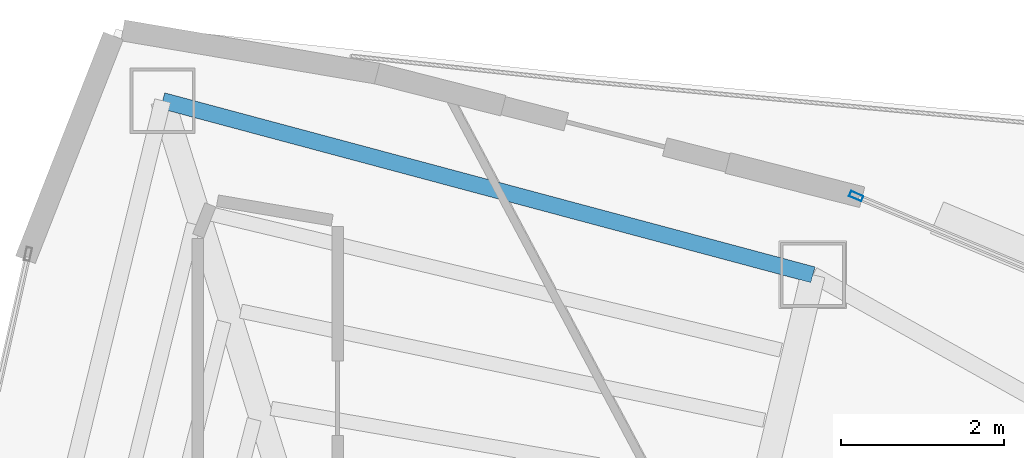
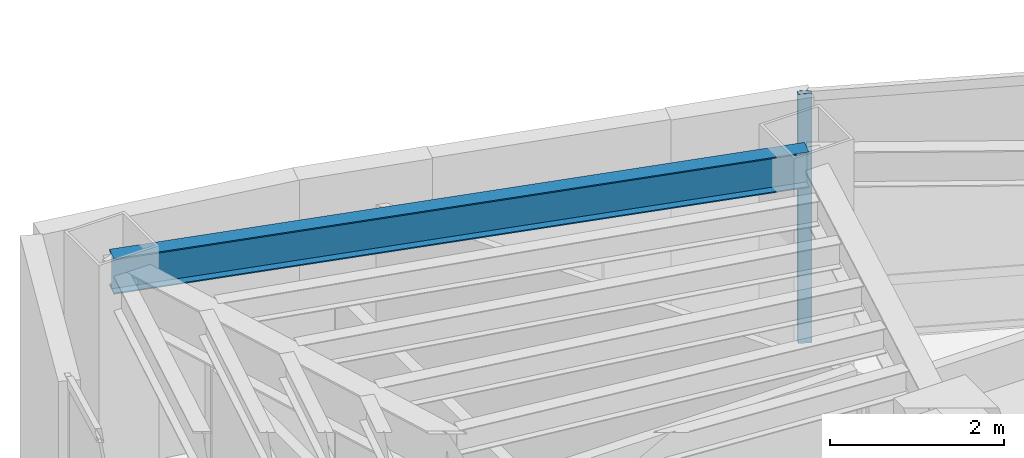
# One storey, part 9 of 16: 1 beam, 1 member, 1 element without a shape of its own.
"""IFC4 building model written with IfcOpenShell, lengths in metres."""

from ifc_helpers import new_model, si_unit, direction, frame, origin, origin_2d, place, context, subcontext, project, spatial, hollow_rectangle, i_section, extrude, material, layer, layer_set, material_profile, profile_set, type_object, element, aggregate, save


model = new_model("IFC4")

# Units and contexts
model_context = context("Model", 3, precision=1e-05, world=origin(), true_north=direction((0.0, 1.0)))
body_context = subcontext(model_context, "Body", "Model", "MODEL_VIEW")
ifc_project = project(units=[si_unit("LENGTHUNIT", "METRE"), si_unit("AREAUNIT", "SQUARE_METRE"), si_unit("VOLUMEUNIT", "CUBIC_METRE"), si_unit("PLANEANGLEUNIT", "RADIAN"), si_unit("MASSUNIT", "GRAM", prefix="KILO")], contexts=[model_context])

# Site, building, storey
site_placement = place(None, origin())
site = spatial("IfcSite", under=ifc_project, at=site_placement, CompositionType="ELEMENT")
building_placement = place(site_placement, origin())
building = spatial("IfcBuilding", under=site, at=building_placement, Name="Menara Vayukalpa", CompositionType="ELEMENT")
storey_placement = place(building_placement, frame((0.0, 0.0, 247.139892578125)))
storey = spatial("IfcBuildingStorey", under=building, at=storey_placement, Name="L62", CompositionType="ELEMENT", Elevation=247.139892578125)

# Beam
ifc_material_1 = material(Name="Steel S355", Category="steel")
ifc_material_profile_1 = material_profile(ifc_material_1, i_section(OverallWidth=0.199951171875, OverallDepth=0.5, WebThickness=0.010009765625, FlangeThickness=0.01611328125, at=origin_2d()), Name="WF 500x200x10x16")
ifc_profile_set_1 = profile_set([ifc_material_profile_1], Name="Steel S355")
beam_type = type_object("IfcBeamType", Name="BM-SP3", PredefinedType="SPANDREL", material=ifc_profile_set_1)
beam_placement = place(storey_placement, frame((23.3818359375, 32.40478515625, 3.25), z_axis=(-0.965978332552, 0.258623009494, 0.0), x_axis=(-0.258623009494, -0.965978332552, 0.0)))
element("IfcBeam", 1, at=beam_placement, inside=storey, type_object=beam_type, Name="L62 Perimeter Spandrel Beam SP03", PredefinedType="SPANDREL", context=body_context, shape_type="SweptSolid", body=[
    extrude(i_section(OverallWidth=0.199951171875, OverallDepth=0.5, WebThickness=0.010009765625, FlangeThickness=0.01611328125, at=origin_2d()), origin(), (0.0, 0.0, 1.0), 8.274169921875),
])

# Curtain wall, member
ifc_material_2 = material(Name="Anodised Terracotta Aluminium Alloy 6063-T6", Category="masonry")
ifc_layer = layer(ifc_material_2, 0.1650390625)
ifc_layer_set = layer_set([ifc_layer], Name="Anodised Terracotta Aluminium Alloy 6063-T6")
curtain_wall_type = type_object("IfcCurtainWallType", Name="CW-CW6", PredefinedType="USERDEFINED", material=ifc_layer_set)
curtain_wall_placement = place(storey_placement, origin())
curtain_wall = element("IfcCurtainWall", 2, at=curtain_wall_placement, inside=storey, type_object=curtain_wall_type, Name="L62 Observation and Executive Curtain Wall CW6 05", ObjectType="UNITISED", PredefinedType="USERDEFINED")
ifc_material_3 = material(Name="Anodised Terracotta Aluminium Alloy 6063-T6", Category="masonry")
ifc_material_profile_2 = material_profile(ifc_material_3, hollow_rectangle(XDim=0.070068359375, YDim=0.1650390625, WallThickness=0.00390625, at=origin_2d()), Name="ALU 70x165x4")
ifc_profile_set_2 = profile_set([ifc_material_profile_2], Name="Anodised Terracotta Aluminium Alloy 6063-T6")
member_type = type_object("IfcMemberType", Name="CWM-CW6", PredefinedType="MULLION", material=ifc_profile_set_2)
member_placement = place(storey_placement, frame((23.913330078125, 33.37158203125, 0.0), z_axis=(0.0, 0.0, 1.0), x_axis=(-0.385899911703, -0.922540653927, 0.0)))
member = element("IfcMember", 3, at=member_placement, type_object=member_type, Name="CW6 mullion 3", PredefinedType="MULLION", context=body_context, shape_type="SweptSolid", body=[
    extrude(hollow_rectangle(XDim=0.070068359375, YDim=0.1650390625, WallThickness=0.00390625, at=origin_2d()), origin(), (0.0, 0.0, 1.0), 3.5),
])
aggregate(curtain_wall, [member])

save(model, "model.ifc")
